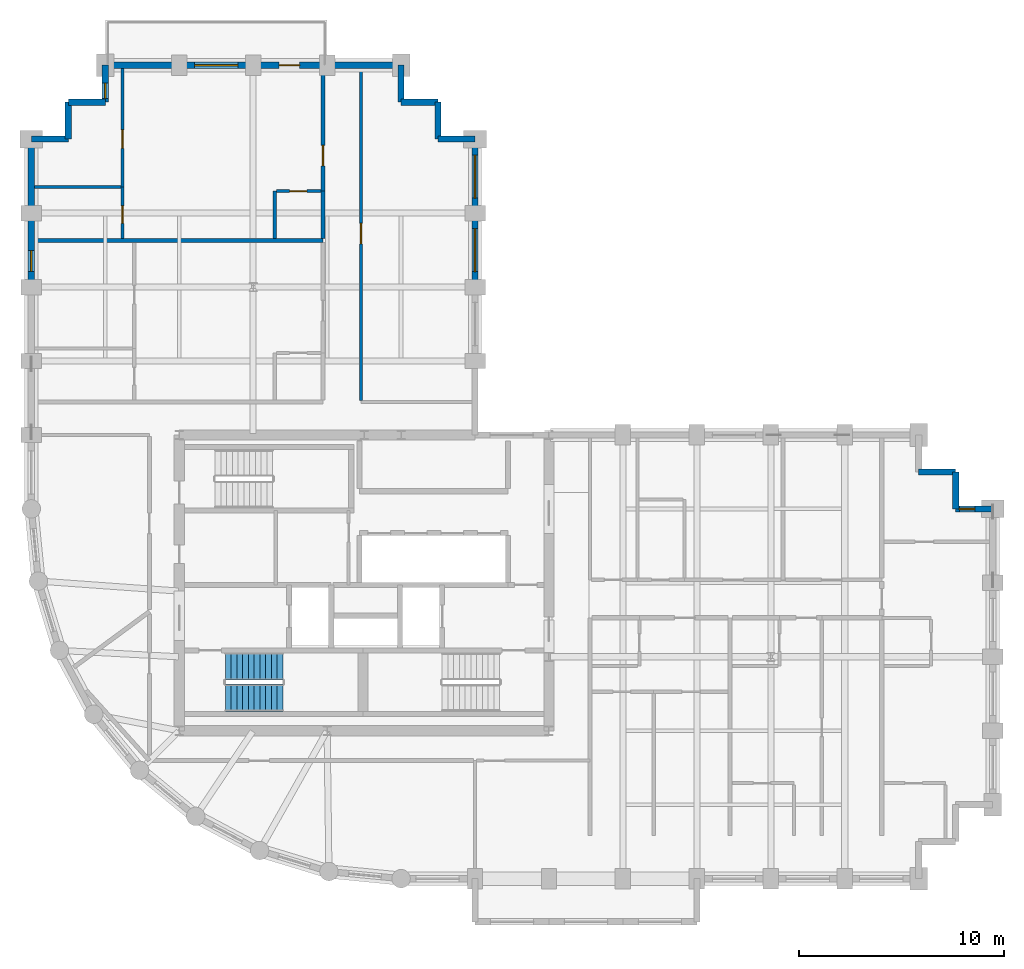
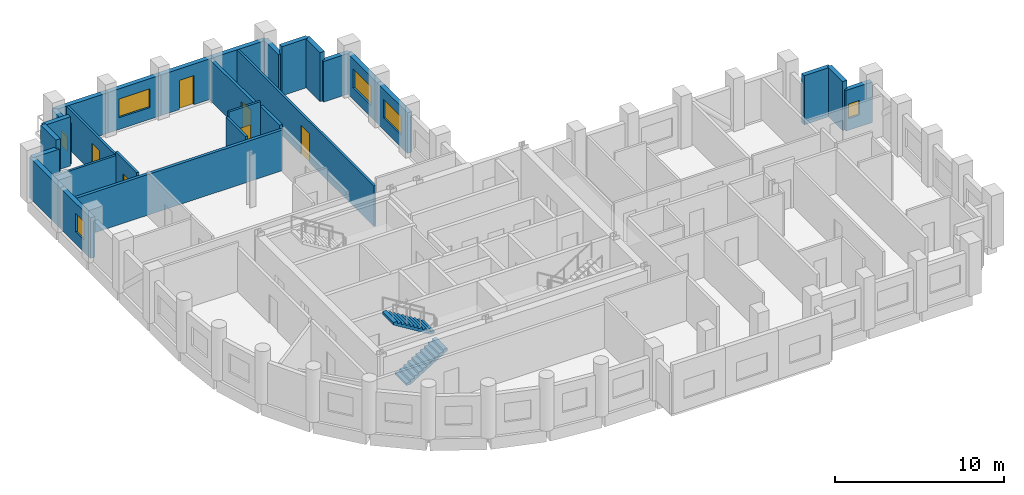
# One storey, part 7 of 9: 28 walls, 6 doors, 6 windows, 2 stair flights, 12 openings, 1 element without a shape of its own.
"""IFC4 building model written with IfcOpenShell, lengths in metres."""

from ifc_helpers import new_model, si_unit, direction, frame, frame_2d, origin, place, context, subcontext, project, spatial, polyline, rectangle, outline, extrude, material, layer, layer_set, type_object, element, fill, aggregate, save


model = new_model("IFC4")

# Units and contexts
model_context = context("Model", 3, precision=1e-05, world=origin(), true_north=direction((0.0, 1.0)))
body_context = subcontext(model_context, "Body", "Model", "MODEL_VIEW")
ifc_project = project(units=[si_unit("LENGTHUNIT", "METRE"), si_unit("AREAUNIT", "SQUARE_METRE"), si_unit("VOLUMEUNIT", "CUBIC_METRE"), si_unit("PLANEANGLEUNIT", "RADIAN"), si_unit("MASSUNIT", "GRAM", prefix="KILO")], contexts=[model_context])

# Site, building, storey
site_placement = place(None, origin())
site = spatial("IfcSite", under=ifc_project, at=site_placement, CompositionType="ELEMENT")
building_placement = place(site_placement, origin())
building = spatial("IfcBuilding", under=site, at=building_placement, Name="Solnavia Interchange Tower", CompositionType="ELEMENT")
storey_placement = place(building_placement, frame((0.0, 0.0, 131.39990234375)))
storey = spatial("IfcBuildingStorey", under=building, at=storey_placement, Name="L32", CompositionType="ELEMENT", Elevation=131.39990234375)

# Walls
ifc_material_1 = material(Name="Gypsum Acoustic Twin-Stud & Mineral Wool", Category="gypsum")
ifc_layer_1 = layer(ifc_material_1, 0.199951171875)
ifc_layer_set_1 = layer_set([ifc_layer_1], Name="Gypsum Acoustic Twin-Stud & Mineral Wool")
wall_type_1 = type_object("IfcWallType", Name="Wall-ApartmentParty-200", PredefinedType="PARTITIONING", material=ifc_layer_set_1)
wall_1_placement = place(storey_placement, frame((7.35400390625, 34.669921875, 0.0), z_axis=(0.0, 0.0, 1.0), x_axis=(1.0, 0.0, 0.0)))
element("IfcWall", 1, at=wall_1_placement, inside=storey, type_object=wall_type_1, Name="PTW-L32-45 Interior partition wall", PredefinedType="PARTITIONING", context=body_context, shape_type="SweptSolid", body=[
    extrude(rectangle(XDim=14.0458984375, YDim=0.199951171875, at=frame_2d((7.02294921875, 0.0))), origin(), (0.0, 0.0, 1.0), 2.93017578125),
])
wall_2_placement = place(storey_placement, frame((21.39990234375, 34.77392578125, 0.0), z_axis=(0.0, 0.0, 1.0), x_axis=(0.0, 1.0, 0.0)))
element("IfcWall", 2, at=wall_2_placement, inside=storey, type_object=wall_type_1, Name="PTW-L32-53 Interior partition wall", PredefinedType="PARTITIONING", context=body_context, shape_type="SweptSolid", body=[
    extrude(rectangle(XDim=2.296142578125, YDim=0.199951171875, at=frame_2d((1.14794921875, 0.0))), origin(), (0.0, 0.0, 1.0), 3.170166015625),
])

# Wall, opening, door
wall_3_placement = place(storey_placement, frame((21.39990234375, 37.070068359375, 0.0), z_axis=(0.0, 0.0, 1.0), x_axis=(0.0, 1.0, 0.0)))
wall_3 = element("IfcWall", 3, at=wall_3_placement, inside=storey, type_object=wall_type_1, Name="PTW-L32-56 Interior partition wall", PredefinedType="PARTITIONING", context=body_context, shape_type="SweptSolid", body=[
    extrude(rectangle(XDim=5.975830078125, YDim=0.199951171875, at=frame_2d((2.98779296875, 0.0))), origin(), (0.0, 0.0, 1.0), 2.93017578125),
])
opening_1_placement = place(wall_3_placement, frame((1.22607421875, 0.0, 0.0)))
opening_1 = element("IfcOpeningElement", 4, at=opening_1_placement, cuts=wall_3, Name="Opening DR-06", PredefinedType="OPENING", context=body_context, shape_type="SweptSolid", body=[
    extrude(rectangle(XDim=1.0, YDim=2.10009765625, at=frame_2d((0.5, 1.050048828125))), frame((0.0, 0.10986328125, 0.0), z_axis=(0.0, -1.0, 0.0), x_axis=(1.0, 0.0, 0.0)), (0.0, 0.0, 1.0), 0.219970703125),
])
ifc_material_2 = material(Name="Engineered Timber Acoustic Fire Door", Category="wood")
door_type_1 = type_object("IfcDoorType", Name="Door-FlatEntry-1000x2100", OperationType="SINGLE_SWING_LEFT", PredefinedType="DOOR", material=ifc_material_2)
door_1_placement = place(opening_1_placement, origin())
door_1 = element("IfcDoor", 5, at=door_1_placement, inside=storey, type_object=door_type_1, Name="DR-L32-26 Interior room door", OperationType="SINGLE_SWING_RIGHT", OverallHeight=2.10009765625, OverallWidth=1.0, PredefinedType="DOOR", context=body_context, shape_type="SweptSolid", body=[
    extrude(rectangle(XDim=1.0, YDim=2.10009765625, at=frame_2d((0.5, 1.050048828125))), frame((0.0, 0.02490234375, 0.0), z_axis=(0.0, -1.0, 0.0), x_axis=(1.0, 0.0, 0.0)), (0.0, 0.0, 1.0), 0.050048828125),
])
fill(opening_1, door_1)

# Wall, opening, window
ifc_material_3 = material(Name="Concrete C40/50", Category="concrete")
ifc_layer_2 = layer(ifc_material_3, 0.300048828125)
ifc_layer_set_2 = layer_set([ifc_layer_2], Name="Concrete C40/50")
wall_type_2 = type_object("IfcWallType", Name="Wall-ExtSpandrel-300", PredefinedType="STANDARD", material=ifc_layer_set_2)
wall_4_placement = place(storey_placement, frame((52.199951171875, 21.60009765625, 0.0), z_axis=(0.0, 0.0, 1.0), x_axis=(1.0, 0.0, 0.0)))
wall_4 = element("IfcWall", 6, at=wall_4_placement, inside=storey, type_object=wall_type_2, Name="EXW-L32-18 Exterior precast spandrel wall", PredefinedType="STANDARD", context=body_context, shape_type="SweptSolid", body=[
    extrude(rectangle(XDim=1.800048828125, YDim=0.300048828125, at=frame_2d((0.89990234375, 0.0))), origin(), (0.0, 0.0, 1.0), 2.93017578125),
])
opening_2_placement = place(wall_4_placement, frame((0.179931640625, 0.0, 0.85009765625)))
opening_2 = element("IfcOpeningElement", 7, at=opening_2_placement, cuts=wall_4, Name="Opening WIN-08", PredefinedType="OPENING", context=body_context, shape_type="SweptSolid", body=[
    extrude(rectangle(XDim=0.75, YDim=1.050048828125, at=frame_2d((0.375, 0.52490234375))), frame((0.0, 0.16015625, 0.0), z_axis=(0.0, -1.0, 0.0), x_axis=(1.0, 0.0, 0.0)), (0.0, 0.0, 1.0), 0.320068359375),
])
ifc_material_4 = material(Name="Thermal-Break Aluminium & Low-E Glass", Category="aluminium")
window_type_1 = type_object("IfcWindowType", Name="Window-Bedroom-750x1050", PartitioningType="SINGLE_PANEL", PredefinedType="WINDOW", material=ifc_material_4)
window_1_placement = place(opening_2_placement, origin())
window_1 = element("IfcWindow", 8, at=window_1_placement, inside=storey, type_object=window_type_1, Name="WIN-L32-DW01 Dwelling bedroom window", OverallHeight=1.050048828125, OverallWidth=0.75, PartitioningType="SINGLE_PANEL", PredefinedType="WINDOW", context=body_context, shape_type="SweptSolid", body=[
    extrude(rectangle(XDim=0.75, YDim=1.050048828125, at=frame_2d((0.375, 0.52490234375))), frame((0.0, 0.030029296875, 0.0), z_axis=(0.0, -1.0, 0.0), x_axis=(1.0, 0.0, 0.0)), (0.0, 0.0, 1.0), 0.06005859375),
])
fill(opening_2, window_1)

# Walls
wall_5_placement = place(storey_placement, frame((52.199951171875, 23.39990234375, 0.0), z_axis=(0.0, 0.0, 1.0), x_axis=(0.0, -1.0, 0.0)))
element("IfcWall", 9, at=wall_5_placement, inside=storey, type_object=wall_type_2, Name="EXW-L32-19 Exterior precast spandrel wall", PredefinedType="STANDARD", context=body_context, shape_type="SweptSolid", body=[
    extrude(rectangle(XDim=1.7998046875, YDim=0.300048828125, at=frame_2d((0.89990234375, 0.0))), origin(), (0.0, 0.0, 1.0), 3.53515625),
])
wall_6_placement = place(storey_placement, frame((50.39990234375, 23.39990234375, 0.0), z_axis=(0.0, 0.0, 1.0), x_axis=(1.0, 0.0, 0.0)))
element("IfcWall", 10, at=wall_6_placement, inside=storey, type_object=wall_type_2, Name="EXW-L32-20 Exterior precast spandrel wall", PredefinedType="STANDARD", context=body_context, shape_type="SweptSolid", body=[
    extrude(rectangle(XDim=1.800048828125, YDim=0.300048828125, at=frame_2d((0.89990234375, 0.0))), origin(), (0.0, 0.0, 1.0), 3.53515625),
])

# Wall, opening, window
wall_7_placement = place(storey_placement, frame((28.800048828125, 36.0, 0.0), z_axis=(0.0, 0.0, 1.0), x_axis=(0.0, -1.0, 0.0)))
wall_7 = element("IfcWall", 11, at=wall_7_placement, inside=storey, type_object=wall_type_2, Name="EXW-L32-30 Exterior precast spandrel wall", PredefinedType="STANDARD", context=body_context, shape_type="SweptSolid", body=[
    extrude(rectangle(XDim=3.60009765625, YDim=0.300048828125, at=frame_2d((1.800048828125, 0.0))), origin(), (0.0, 0.0, 1.0), 2.93017578125),
])
opening_3_placement = place(wall_7_placement, frame((0.75, 0.0, 0.85009765625)))
opening_3 = element("IfcOpeningElement", 12, at=opening_3_placement, cuts=wall_7, Name="Opening WIN-01", PredefinedType="OPENING", context=body_context, shape_type="SweptSolid", body=[
    extrude(rectangle(XDim=2.10009765625, YDim=1.35009765625, at=frame_2d((1.050048828125, 0.675048828125))), frame((0.0, 0.16015625, 0.0), z_axis=(0.0, -1.0, 0.0), x_axis=(1.0, 0.0, 0.0)), (0.0, 0.0, 1.0), 0.320068359375),
])
window_type_2 = type_object("IfcWindowType", Name="Window-Ribbon-2100x1350", PartitioningType="SINGLE_PANEL", PredefinedType="WINDOW", material=ifc_material_4)
window_2_placement = place(opening_3_placement, origin())
window_2 = element("IfcWindow", 13, at=window_2_placement, inside=storey, type_object=window_type_2, Name="WIN-L32-30 Facade ribbon window", OverallHeight=1.35009765625, OverallWidth=2.10009765625, PartitioningType="SINGLE_PANEL", PredefinedType="WINDOW", context=body_context, shape_type="SweptSolid", body=[
    extrude(rectangle(XDim=2.10009765625, YDim=1.35009765625, at=frame_2d((1.050048828125, 0.675048828125))), frame((0.0, 0.030029296875, 0.0), z_axis=(0.0, -1.0, 0.0), x_axis=(1.0, 0.0, 0.0)), (0.0, 0.0, 1.0), 0.06005859375),
])
fill(opening_3, window_2)

wall_8_placement = place(storey_placement, frame((28.800048828125, 39.60009765625, 0.0), z_axis=(0.0, 0.0, 1.0), x_axis=(0.0, -1.0, 0.0)))
wall_8 = element("IfcWall", 14, at=wall_8_placement, inside=storey, type_object=wall_type_2, Name="EXW-L32-31 Exterior precast spandrel wall", PredefinedType="STANDARD", context=body_context, shape_type="SweptSolid", body=[
    extrude(rectangle(XDim=3.60009765625, YDim=0.300048828125, at=frame_2d((1.800048828125, 0.0))), origin(), (0.0, 0.0, 1.0), 2.93017578125),
])
opening_4_placement = place(wall_8_placement, frame((0.77490234375, 0.0, 0.85009765625)))
opening_4 = element("IfcOpeningElement", 15, at=opening_4_placement, cuts=wall_8, Name="Opening WIN-01", PredefinedType="OPENING", context=body_context, shape_type="SweptSolid", body=[
    extrude(rectangle(XDim=2.10009765625, YDim=1.35009765625, at=frame_2d((1.050048828125, 0.675048828125))), frame((0.0, 0.16015625, 0.0), z_axis=(0.0, -1.0, 0.0), x_axis=(1.0, 0.0, 0.0)), (0.0, 0.0, 1.0), 0.320068359375),
])
window_3_placement = place(opening_4_placement, origin())
window_3 = element("IfcWindow", 16, at=window_3_placement, inside=storey, type_object=window_type_2, Name="WIN-L32-31 Facade ribbon window", OverallHeight=1.35009765625, OverallWidth=2.10009765625, PartitioningType="SINGLE_PANEL", PredefinedType="WINDOW", context=body_context, shape_type="SweptSolid", body=[
    extrude(rectangle(XDim=2.10009765625, YDim=1.35009765625, at=frame_2d((1.050048828125, 0.675048828125))), frame((0.0, 0.030029296875, 0.0), z_axis=(0.0, -1.0, 0.0), x_axis=(1.0, 0.0, 0.0)), (0.0, 0.0, 1.0), 0.06005859375),
])
fill(opening_4, window_3)

# Walls
wall_9_placement = place(storey_placement, frame((27.0, 39.60009765625, 0.0), z_axis=(0.0, 0.0, 1.0), x_axis=(1.0, 0.0, 0.0)))
element("IfcWall", 17, at=wall_9_placement, inside=storey, type_object=wall_type_2, Name="EXW-L32-32 Exterior precast spandrel wall", PredefinedType="STANDARD", context=body_context, shape_type="SweptSolid", body=[
    extrude(rectangle(XDim=1.800048828125, YDim=0.300048828125, at=frame_2d((0.89990234375, 0.0))), origin(), (0.0, 0.0, 1.0), 2.93017578125),
])
wall_10_placement = place(storey_placement, frame((27.0, 39.60009765625, 0.0), z_axis=(0.0, 0.0, 1.0), x_axis=(0.0, 1.0, 0.0)))
element("IfcWall", 18, at=wall_10_placement, inside=storey, type_object=wall_type_2, Name="EXW-L32-33 Exterior precast spandrel wall", PredefinedType="STANDARD", context=body_context, shape_type="SweptSolid", body=[
    extrude(rectangle(XDim=1.7998046875, YDim=0.300048828125, at=frame_2d((0.89990234375, 0.0))), origin(), (0.0, 0.0, 1.0), 3.53515625),
])
wall_11_placement = place(storey_placement, frame((25.199951171875, 41.39990234375, 0.0), z_axis=(0.0, 0.0, 1.0), x_axis=(1.0, 0.0, 0.0)))
element("IfcWall", 19, at=wall_11_placement, inside=storey, type_object=wall_type_2, Name="EXW-L32-34 Exterior precast spandrel wall", PredefinedType="STANDARD", context=body_context, shape_type="SweptSolid", body=[
    extrude(rectangle(XDim=1.800048828125, YDim=0.300048828125, at=frame_2d((0.89990234375, 0.0))), origin(), (0.0, 0.0, 1.0), 3.53515625),
])
wall_12_placement = place(storey_placement, frame((25.199951171875, 41.39990234375, 0.0), z_axis=(0.0, 0.0, 1.0), x_axis=(0.0, 1.0, 0.0)))
element("IfcWall", 20, at=wall_12_placement, inside=storey, type_object=wall_type_2, Name="EXW-L32-35 Exterior precast spandrel wall", PredefinedType="STANDARD", context=body_context, shape_type="SweptSolid", body=[
    extrude(rectangle(XDim=1.800048828125, YDim=0.300048828125, at=frame_2d((0.89990234375, 0.0))), origin(), (0.0, 0.0, 1.0), 2.93017578125),
])
wall_13_placement = place(storey_placement, frame((21.60009765625, 43.199951171875, 0.0), z_axis=(0.0, 0.0, 1.0), x_axis=(1.0, 0.0, 0.0)))
element("IfcWall", 21, at=wall_13_placement, inside=storey, type_object=wall_type_2, Name="EXW-L32-36 Exterior precast spandrel wall", PredefinedType="STANDARD", context=body_context, shape_type="SweptSolid", body=[
    extrude(rectangle(XDim=3.599853515625, YDim=0.300048828125, at=frame_2d((1.7998046875, 0.0))), origin(), (0.0, 0.0, 1.0), 2.93017578125),
])

# Wall, opening, door
wall_14_placement = place(storey_placement, frame((18.0, 43.199951171875, 0.0), z_axis=(0.0, 0.0, 1.0), x_axis=(1.0, 0.0, 0.0)))
wall_14 = element("IfcWall", 22, at=wall_14_placement, inside=storey, type_object=wall_type_2, Name="EXW-L32-37 Exterior precast spandrel wall", PredefinedType="STANDARD", context=body_context, shape_type="SweptSolid", body=[
    extrude(rectangle(XDim=3.60009765625, YDim=0.300048828125, at=frame_2d((1.800048828125, 0.0))), origin(), (0.0, 0.0, 1.0), 2.93017578125),
])
opening_5_placement = place(wall_14_placement, frame((1.260986328125, 0.0, 0.0)))
opening_5 = element("IfcOpeningElement", 23, at=opening_5_placement, cuts=wall_14, Name="Opening EXD-05", PredefinedType="OPENING", context=body_context, shape_type="SweptSolid", body=[
    extrude(rectangle(XDim=1.0, YDim=2.10009765625, at=frame_2d((0.5, 1.050048828125))), frame((0.0, 0.16015625, 0.0), z_axis=(0.0, -1.0, 0.0), x_axis=(1.0, 0.0, 0.0)), (0.0, 0.0, 1.0), 0.320068359375),
])
ifc_material_5 = material(Name="Thermally Broken Aluminium & Laminated Glass", Category="aluminium")
door_type_2 = type_object("IfcDoorType", Name="Door-TerraceSingle-1000x2100", OperationType="SINGLE_SWING_LEFT", PredefinedType="DOOR", material=ifc_material_5)
door_2_placement = place(opening_5_placement, origin())
door_2 = element("IfcDoor", 24, at=door_2_placement, inside=storey, type_object=door_type_2, Name="EXD-L32-TER Spiral terrace glazed door", OperationType="SINGLE_SWING_LEFT", OverallHeight=2.10009765625, OverallWidth=1.0, PredefinedType="DOOR", context=body_context, shape_type="SweptSolid", body=[
    extrude(rectangle(XDim=1.0, YDim=2.10009765625, at=frame_2d((0.5, 1.050048828125))), frame((0.0, 0.02490234375, 0.0), z_axis=(0.0, -1.0, 0.0), x_axis=(1.0, 0.0, 0.0)), (0.0, 0.0, 1.0), 0.050048828125),
])
fill(opening_5, door_2)

# Wall, opening, window
wall_15_placement = place(storey_placement, frame((14.39990234375, 43.199951171875, 0.0), z_axis=(0.0, 0.0, 1.0), x_axis=(1.0, 0.0, 0.0)))
wall_15 = element("IfcWall", 25, at=wall_15_placement, inside=storey, type_object=wall_type_2, Name="EXW-L32-38 Exterior precast spandrel wall", PredefinedType="STANDARD", context=body_context, shape_type="SweptSolid", body=[
    extrude(rectangle(XDim=3.60009765625, YDim=0.300048828125, at=frame_2d((1.800048828125, 0.0))), origin(), (0.0, 0.0, 1.0), 2.93017578125),
])
opening_6_placement = place(wall_15_placement, frame((0.75, 0.0, 0.85009765625)))
opening_6 = element("IfcOpeningElement", 26, at=opening_6_placement, cuts=wall_15, Name="Opening WIN-01", PredefinedType="OPENING", context=body_context, shape_type="SweptSolid", body=[
    extrude(rectangle(XDim=2.10009765625, YDim=1.35009765625, at=frame_2d((1.050048828125, 0.675048828125))), frame((0.0, 0.16015625, 0.0), z_axis=(0.0, -1.0, 0.0), x_axis=(1.0, 0.0, 0.0)), (0.0, 0.0, 1.0), 0.320068359375),
])
window_4_placement = place(opening_6_placement, origin())
window_4 = element("IfcWindow", 27, at=window_4_placement, inside=storey, type_object=window_type_2, Name="WIN-L32-38 Facade ribbon window", OverallHeight=1.35009765625, OverallWidth=2.10009765625, PartitioningType="SINGLE_PANEL", PredefinedType="WINDOW", context=body_context, shape_type="SweptSolid", body=[
    extrude(rectangle(XDim=2.10009765625, YDim=1.35009765625, at=frame_2d((1.050048828125, 0.675048828125))), frame((0.0, 0.030029296875, 0.0), z_axis=(0.0, -1.0, 0.0), x_axis=(1.0, 0.0, 0.0)), (0.0, 0.0, 1.0), 0.06005859375),
])
fill(opening_6, window_4)

# Wall
wall_16_placement = place(storey_placement, frame((10.800048828125, 43.199951171875, 0.0), z_axis=(0.0, 0.0, 1.0), x_axis=(1.0, 0.0, 0.0)))
element("IfcWall", 28, at=wall_16_placement, inside=storey, type_object=wall_type_2, Name="EXW-L32-39 Exterior precast spandrel wall", PredefinedType="STANDARD", context=body_context, shape_type="SweptSolid", body=[
    extrude(rectangle(XDim=3.599853515625, YDim=0.300048828125, at=frame_2d((1.7998046875, 0.0))), origin(), (0.0, 0.0, 1.0), 2.93017578125),
])

# Wall, opening, window
wall_17_placement = place(storey_placement, frame((10.800048828125, 41.39990234375, 0.0), z_axis=(0.0, 0.0, 1.0), x_axis=(0.0, 1.0, 0.0)))
wall_17 = element("IfcWall", 29, at=wall_17_placement, inside=storey, type_object=wall_type_2, Name="EXW-L32-40 Exterior precast spandrel wall", PredefinedType="STANDARD", context=body_context, shape_type="SweptSolid", body=[
    extrude(rectangle(XDim=1.800048828125, YDim=0.300048828125, at=frame_2d((0.89990234375, 0.0))), origin(), (0.0, 0.0, 1.0), 2.93017578125),
])
opening_7_placement = place(wall_17_placement, frame((0.179931640625, 0.0, 0.85009765625)))
opening_7 = element("IfcOpeningElement", 30, at=opening_7_placement, cuts=wall_17, Name="Opening WIN-08", PredefinedType="OPENING", context=body_context, shape_type="SweptSolid", body=[
    extrude(rectangle(XDim=0.75, YDim=1.050048828125, at=frame_2d((0.375, 0.52490234375))), frame((0.0, 0.16015625, 0.0), z_axis=(0.0, -1.0, 0.0), x_axis=(1.0, 0.0, 0.0)), (0.0, 0.0, 1.0), 0.320068359375),
])
window_5_placement = place(opening_7_placement, origin())
window_5 = element("IfcWindow", 31, at=window_5_placement, inside=storey, type_object=window_type_1, Name="WIN-L32-DW03 Dwelling bedroom window", OverallHeight=1.050048828125, OverallWidth=0.75, PartitioningType="SINGLE_PANEL", PredefinedType="WINDOW", context=body_context, shape_type="SweptSolid", body=[
    extrude(rectangle(XDim=0.75, YDim=1.050048828125, at=frame_2d((0.375, 0.52490234375))), frame((0.0, 0.030029296875, 0.0), z_axis=(0.0, -1.0, 0.0), x_axis=(1.0, 0.0, 0.0)), (0.0, 0.0, 1.0), 0.06005859375),
])
fill(opening_7, window_5)

# Walls
wall_18_placement = place(storey_placement, frame((9.0, 41.39990234375, 0.0), z_axis=(0.0, 0.0, 1.0), x_axis=(1.0, 0.0, 0.0)))
element("IfcWall", 32, at=wall_18_placement, inside=storey, type_object=wall_type_2, Name="EXW-L32-41 Exterior precast spandrel wall", PredefinedType="STANDARD", context=body_context, shape_type="SweptSolid", body=[
    extrude(rectangle(XDim=1.800048828125, YDim=0.300048828125, at=frame_2d((0.89990234375, 0.0))), origin(), (0.0, 0.0, 1.0), 3.53515625),
])
wall_19_placement = place(storey_placement, frame((9.0, 39.60009765625, 0.0), z_axis=(0.0, 0.0, 1.0), x_axis=(0.0, 1.0, 0.0)))
element("IfcWall", 33, at=wall_19_placement, inside=storey, type_object=wall_type_2, Name="EXW-L32-42 Exterior precast spandrel wall", PredefinedType="STANDARD", context=body_context, shape_type="SweptSolid", body=[
    extrude(rectangle(XDim=1.7998046875, YDim=0.300048828125, at=frame_2d((0.89990234375, 0.0))), origin(), (0.0, 0.0, 1.0), 3.53515625),
])
wall_20_placement = place(storey_placement, frame((7.199951171875, 39.60009765625, 0.0), z_axis=(0.0, 0.0, 1.0), x_axis=(1.0, 0.0, 0.0)))
element("IfcWall", 34, at=wall_20_placement, inside=storey, type_object=wall_type_2, Name="EXW-L32-43 Exterior precast spandrel wall", PredefinedType="STANDARD", context=body_context, shape_type="SweptSolid", body=[
    extrude(rectangle(XDim=1.800048828125, YDim=0.300048828125, at=frame_2d((0.89990234375, 0.0))), origin(), (0.0, 0.0, 1.0), 2.93017578125),
])
wall_21_placement = place(storey_placement, frame((7.199951171875, 36.0, 0.0), z_axis=(0.0, 0.0, 1.0), x_axis=(0.0, 1.0, 0.0)))
element("IfcWall", 35, at=wall_21_placement, inside=storey, type_object=wall_type_2, Name="EXW-L32-44 Exterior precast spandrel wall", PredefinedType="STANDARD", context=body_context, shape_type="SweptSolid", body=[
    extrude(rectangle(XDim=3.60009765625, YDim=0.300048828125, at=frame_2d((1.800048828125, 0.0))), origin(), (0.0, 0.0, 1.0), 2.93017578125),
])

# Wall, opening, window
wall_22_placement = place(storey_placement, frame((7.199951171875, 32.39990234375, 0.0), z_axis=(0.0, 0.0, 1.0), x_axis=(0.0, 1.0, 0.0)))
wall_22 = element("IfcWall", 36, at=wall_22_placement, inside=storey, type_object=wall_type_2, Name="EXW-L32-45 Exterior precast spandrel wall", PredefinedType="STANDARD", context=body_context, shape_type="SweptSolid", body=[
    extrude(rectangle(XDim=3.60009765625, YDim=0.300048828125, at=frame_2d((1.800048828125, 0.0))), origin(), (0.0, 0.0, 1.0), 2.93017578125),
])
opening_8_placement = place(wall_22_placement, frame((0.76904296875, 0.0, 0.85009765625)))
opening_8 = element("IfcOpeningElement", 37, at=opening_8_placement, cuts=wall_22, Name="Opening WIN-07", PredefinedType="OPENING", context=body_context, shape_type="SweptSolid", body=[
    extrude(rectangle(XDim=1.0, YDim=1.35009765625, at=frame_2d((0.5, 0.675048828125))), frame((0.0, 0.16015625, 0.0), z_axis=(0.0, -1.0, 0.0), x_axis=(1.0, 0.0, 0.0)), (0.0, 0.0, 1.0), 0.320068359375),
])
window_type_3 = type_object("IfcWindowType", Name="Window-Bedroom-1000x1350", PartitioningType="SINGLE_PANEL", PredefinedType="WINDOW", material=ifc_material_4)
window_6_placement = place(opening_8_placement, origin())
window_6 = element("IfcWindow", 38, at=window_6_placement, inside=storey, type_object=window_type_3, Name="WIN-L32-DW02 Dwelling bedroom window", OverallHeight=1.35009765625, OverallWidth=1.0, PartitioningType="SINGLE_PANEL", PredefinedType="WINDOW", context=body_context, shape_type="SweptSolid", body=[
    extrude(rectangle(XDim=1.0, YDim=1.35009765625, at=frame_2d((0.5, 0.675048828125))), frame((0.0, 0.030029296875, 0.0), z_axis=(0.0, -1.0, 0.0), x_axis=(1.0, 0.0, 0.0)), (0.0, 0.0, 1.0), 0.06005859375),
])
fill(opening_8, window_6)

# Wall, opening, door
ifc_material_6 = material(Name="Gypsum Plasterboard & Steel Stud", Category="steel")
ifc_layer_3 = layer(ifc_material_6, 0.14990234375)
ifc_layer_set_3 = layer_set([ifc_layer_3], Name="Gypsum Plasterboard & Steel Stud")
wall_type_3 = type_object("IfcWallType", Name="Wall-Partition-150", PredefinedType="PARTITIONING", material=ifc_layer_set_3)
wall_23_placement = place(storey_placement, frame((11.639892578125, 37.27001953125, 0.0), z_axis=(0.0, 0.0, 1.0), x_axis=(0.0, 1.0, 0.0)))
wall_23 = element("IfcWall", 39, at=wall_23_placement, inside=storey, type_object=wall_type_3, Name="PTW-L32-57 Interior partition wall", PredefinedType="PARTITIONING", context=body_context, shape_type="SweptSolid", body=[
    extrude(rectangle(XDim=5.77587890625, YDim=0.14990234375, at=frame_2d((2.887939453125, 0.0))), origin(), (0.0, 0.0, 1.0), 2.93017578125),
])
opening_9_placement = place(wall_23_placement, frame((1.8759765625, 0.0, 0.0)))
opening_9 = element("IfcOpeningElement", 40, at=opening_9_placement, cuts=wall_23, Name="Opening DR-09", PredefinedType="OPENING", context=body_context, shape_type="SweptSolid", body=[
    extrude(rectangle(XDim=0.89990234375, YDim=2.10009765625, at=frame_2d((0.449951171875, 1.050048828125))), frame((0.0, 0.0849609375, 0.0), z_axis=(0.0, -1.0, 0.0), x_axis=(1.0, 0.0, 0.0)), (0.0, 0.0, 1.0), 0.169921875),
])
ifc_material_7 = material(Name="Engineered Oak Veneer Door", Category="wood")
door_type_3 = type_object("IfcDoorType", Name="Door-Internal-900x2100", OperationType="SINGLE_SWING_LEFT", PredefinedType="DOOR", material=ifc_material_7)
door_3_placement = place(opening_9_placement, origin())
door_3 = element("IfcDoor", 41, at=door_3_placement, inside=storey, type_object=door_type_3, Name="DR-L32-27 Interior room door", OperationType="SINGLE_SWING_LEFT", OverallHeight=2.10009765625, OverallWidth=0.89990234375, PredefinedType="DOOR", context=body_context, shape_type="SweptSolid", body=[
    extrude(rectangle(XDim=0.89990234375, YDim=2.10009765625, at=frame_2d((0.449951171875, 1.050048828125))), frame((0.0, 0.02490234375, 0.0), z_axis=(0.0, -1.0, 0.0), x_axis=(1.0, 0.0, 0.0)), (0.0, 0.0, 1.0), 0.050048828125),
])
fill(opening_9, door_3)

wall_24_placement = place(storey_placement, frame((23.25, 26.87890625, 0.0), z_axis=(0.0, 0.0, 1.0), x_axis=(0.0, 1.0, 0.0)))
wall_24 = element("IfcWall", 42, at=wall_24_placement, inside=storey, type_object=wall_type_3, Name="PTW-L32-61 Interior partition wall", PredefinedType="PARTITIONING", context=body_context, shape_type="SweptSolid", body=[
    extrude(rectangle(XDim=16.1669921875, YDim=0.14990234375, at=frame_2d((8.08349609375, 0.0))), origin(), (0.0, 0.0, 1.0), 2.93017578125),
])
opening_10_placement = place(wall_24_placement, frame((7.62109375, 0.0, 0.0)))
opening_10 = element("IfcOpeningElement", 43, at=opening_10_placement, cuts=wall_24, Name="Opening DR-07", PredefinedType="OPENING", context=body_context, shape_type="SweptSolid", body=[
    extrude(rectangle(XDim=1.0, YDim=2.10009765625, at=frame_2d((0.5, 1.050048828125))), frame((0.0, 0.0849609375, 0.0), z_axis=(0.0, -1.0, 0.0), x_axis=(1.0, 0.0, 0.0)), (0.0, 0.0, 1.0), 0.169921875),
])
ifc_material_8 = material(Name="Timber & Acoustic Glazed Office Door", Category="wood")
door_type_4 = type_object("IfcDoorType", Name="Door-Office-1000x2100", OperationType="SINGLE_SWING_RIGHT", PredefinedType="DOOR", material=ifc_material_8)
door_4_placement = place(opening_10_placement, origin())
door_4 = element("IfcDoor", 44, at=door_4_placement, inside=storey, type_object=door_type_4, Name="DR-L32-29 Interior room door", OperationType="SINGLE_SWING_LEFT", OverallHeight=2.10009765625, OverallWidth=1.0, PredefinedType="DOOR", context=body_context, shape_type="SweptSolid", body=[
    extrude(rectangle(XDim=1.0, YDim=2.10009765625, at=frame_2d((0.5, 1.050048828125))), frame((0.0, 0.02490234375, 0.0), z_axis=(0.0, -1.0, 0.0), x_axis=(1.0, 0.0, 0.0)), (0.0, 0.0, 1.0), 0.050048828125),
])
fill(opening_10, door_4)

# Wall
ifc_material_9 = material(Name="Moisture-Resistant Gypsum & Steel Stud", Category="steel")
ifc_layer_4 = layer(ifc_material_9, 0.14990234375)
ifc_layer_set_4 = layer_set([ifc_layer_4], Name="Moisture-Resistant Gypsum & Steel Stud")
wall_type_4 = type_object("IfcWallType", Name="Wall-WetRoom-150", PredefinedType="PARTITIONING", material=ifc_layer_set_4)
wall_25_placement = place(storey_placement, frame((19.050048828125, 34.77392578125, 0.0), z_axis=(0.0, 0.0, 1.0), x_axis=(0.0, 1.0, 0.0)))
element("IfcWall", 45, at=wall_25_placement, inside=storey, type_object=wall_type_4, Name="PTW-L32-54 Interior partition wall", PredefinedType="PARTITIONING", context=body_context, shape_type="SweptSolid", body=[
    extrude(rectangle(XDim=2.296142578125, YDim=0.14990234375, at=frame_2d((1.14794921875, 0.0))), origin(), (0.0, 0.0, 1.0), 3.170166015625),
])

# Wall, opening, door
wall_26_placement = place(storey_placement, frame((19.12890625, 37.070068359375, 0.0), z_axis=(0.0, 0.0, 1.0), x_axis=(1.0, 0.0, 0.0)))
wall_26 = element("IfcWall", 46, at=wall_26_placement, inside=storey, type_object=wall_type_4, Name="PTW-L32-55 Interior partition wall", PredefinedType="PARTITIONING", context=body_context, shape_type="SweptSolid", body=[
    extrude(rectangle(XDim=2.1669921875, YDim=0.14990234375, at=frame_2d((1.08349609375, 0.0))), origin(), (0.0, 0.0, 1.0), 3.53515625),
])
opening_11_placement = place(wall_26_placement, frame((0.64111328125, 0.0, 0.0)))
opening_11 = element("IfcOpeningElement", 47, at=opening_11_placement, cuts=wall_26, Name="Opening DR-10", PredefinedType="OPENING", context=body_context, shape_type="SweptSolid", body=[
    extrude(rectangle(XDim=0.85009765625, YDim=2.10009765625, at=frame_2d((0.425048828125, 1.050048828125))), frame((0.0, 0.0849609375, 0.0), z_axis=(0.0, -1.0, 0.0), x_axis=(1.0, 0.0, 0.0)), (0.0, 0.0, 1.0), 0.169921875),
])
ifc_material_10 = material(Name="Moisture-Resistant Timber Door", Category="wood")
door_type_5 = type_object("IfcDoorType", Name="Door-Bathroom-850x2100", OperationType="SINGLE_SWING_RIGHT", PredefinedType="DOOR", material=ifc_material_10)
door_5_placement = place(opening_11_placement, origin())
door_5 = element("IfcDoor", 48, at=door_5_placement, inside=storey, type_object=door_type_5, Name="DR-L32-25 Interior room door", OperationType="SINGLE_SWING_RIGHT", OverallHeight=2.10009765625, OverallWidth=0.85009765625, PredefinedType="DOOR", context=body_context, shape_type="SweptSolid", body=[
    extrude(rectangle(XDim=0.85009765625, YDim=2.10009765625, at=frame_2d((0.425048828125, 1.050048828125))), frame((0.0, 0.02490234375, 0.0), z_axis=(0.0, -1.0, 0.0), x_axis=(1.0, 0.0, 0.0)), (0.0, 0.0, 1.0), 0.050048828125),
])
fill(opening_11, door_5)

wall_27_placement = place(storey_placement, frame((11.639892578125, 34.77392578125, 0.0), z_axis=(0.0, 0.0, 1.0), x_axis=(0.0, 1.0, 0.0)))
wall_27 = element("IfcWall", 49, at=wall_27_placement, inside=storey, type_object=wall_type_4, Name="PTW-L32-58 Interior partition wall", PredefinedType="PARTITIONING", context=body_context, shape_type="SweptSolid", body=[
    extrude(rectangle(XDim=2.49609375, YDim=0.14990234375, at=frame_2d((1.248046875, 0.0))), origin(), (0.0, 0.0, 1.0), 3.170166015625),
])
opening_12_placement = place(wall_27_placement, frame((0.73095703125, 0.0, 0.0)))
opening_12 = element("IfcOpeningElement", 50, at=opening_12_placement, cuts=wall_27, Name="Opening DR-10", PredefinedType="OPENING", context=body_context, shape_type="SweptSolid", body=[
    extrude(rectangle(XDim=0.85009765625, YDim=2.10009765625, at=frame_2d((0.425048828125, 1.050048828125))), frame((0.0, 0.0849609375, 0.0), z_axis=(0.0, -1.0, 0.0), x_axis=(1.0, 0.0, 0.0)), (0.0, 0.0, 1.0), 0.169921875),
])
door_6_placement = place(opening_12_placement, origin())
door_6 = element("IfcDoor", 51, at=door_6_placement, inside=storey, type_object=door_type_5, Name="DR-L32-28 Interior room door", OperationType="SINGLE_SWING_RIGHT", OverallHeight=2.10009765625, OverallWidth=0.85009765625, PredefinedType="DOOR", context=body_context, shape_type="SweptSolid", body=[
    extrude(rectangle(XDim=0.85009765625, YDim=2.10009765625, at=frame_2d((0.425048828125, 1.050048828125))), frame((0.0, 0.02490234375, 0.0), z_axis=(0.0, -1.0, 0.0), x_axis=(1.0, 0.0, 0.0)), (0.0, 0.0, 1.0), 0.050048828125),
])
fill(opening_12, door_6)

# Wall
wall_28_placement = place(storey_placement, frame((7.35400390625, 37.27001953125, 0.0), z_axis=(0.0, 0.0, 1.0), x_axis=(1.0, 0.0, 0.0)))
element("IfcWall", 52, at=wall_28_placement, inside=storey, type_object=wall_type_4, Name="PTW-L32-59 Interior partition wall", PredefinedType="PARTITIONING", context=body_context, shape_type="SweptSolid", body=[
    extrude(rectangle(XDim=4.20703125, YDim=0.14990234375, at=frame_2d((2.103515625, 0.0))), origin(), (0.0, 0.0, 1.0), 2.93017578125),
])

# Stair, stair flights
stair_type = type_object("IfcStairType", Name="Stair-Dogleg-RC", PredefinedType="HALF_TURN_STAIR", material=ifc_material_3)
stair_placement = place(storey_placement, origin())
stair = element("IfcStair", 53, at=stair_placement, inside=storey, type_object=stair_type, Name="L32 Core exit stair 1", PredefinedType="HALF_TURN_STAIR")
stair_flight_type = type_object("IfcStairFlightType", Name="StairFlight-RC-150", PredefinedType="STRAIGHT", material=ifc_material_3)
stair_flight_1_placement = place(storey_placement, frame((16.64990234375, 12.409912109375, 0.0), z_axis=(0.0, 0.0, 1.0), x_axis=(1.0, 0.0, 0.0)))
stair_flight_1 = element("IfcStairFlight", 54, at=stair_flight_1_placement, type_object=stair_flight_type, Name="ST-1 flight 1", NumberOfRisers=11, NumberOfTreads=10, PredefinedType="STRAIGHT", RiserHeight=0.172727273, TreadLength=0.28, context=body_context, shape_type="SweptSolid", body=[
    extrude(outline(polyline([(0.0, 0.0), (0.0, 0.172607421875), (0.280029296875, 0.172607421875), (0.280029296875, 0.345458984375), (0.56005859375, 0.345458984375), (0.56005859375, 0.51806640625), (0.840087890625, 0.51806640625), (0.840087890625, 0.69091796875), (1.1201171875, 0.69091796875), (1.1201171875, 0.863525390625), (1.39990234375, 0.863525390625), (1.39990234375, 1.036376953125), (1.679931640625, 1.036376953125), (1.679931640625, 1.208984375), (1.9599609375, 1.208984375), (1.9599609375, 1.3818359375), (2.239990234375, 1.3818359375), (2.239990234375, 1.554443359375), (2.52001953125, 1.554443359375), (2.52001953125, 1.727294921875), (2.800048828125, 1.727294921875), (2.800048828125, 1.89990234375), (2.800048828125, 1.551025390625), (0.285400390625, 0.0), (0.0, 0.0)])), frame((0.0, 0.66015625, 0.0), z_axis=(0.0, -1.0, 0.0), x_axis=(1.0, 0.0, 0.0)), (0.0, 0.0, 1.0), 1.320068359375),
])
stair_flight_2_placement = place(storey_placement, frame((19.449951171875, 13.929931640625, 1.900146484375), z_axis=(0.0, 0.0, 1.0), x_axis=(-1.0, 0.0, 0.0)))
stair_flight_2 = element("IfcStairFlight", 55, at=stair_flight_2_placement, type_object=stair_flight_type, Name="ST-1 flight 2", NumberOfRisers=11, NumberOfTreads=10, PredefinedType="STRAIGHT", RiserHeight=0.172727273, TreadLength=0.28, context=body_context, shape_type="SweptSolid", body=[
    extrude(outline(polyline([(0.0, 0.0), (0.0, 0.172607421875), (0.280029296875, 0.172607421875), (0.280029296875, 0.345458984375), (0.56005859375, 0.345458984375), (0.56005859375, 0.51806640625), (0.840087890625, 0.51806640625), (0.840087890625, 0.69091796875), (1.1201171875, 0.69091796875), (1.1201171875, 0.863525390625), (1.39990234375, 0.863525390625), (1.39990234375, 1.036376953125), (1.679931640625, 1.036376953125), (1.679931640625, 1.208984375), (1.9599609375, 1.208984375), (1.9599609375, 1.3818359375), (2.239990234375, 1.3818359375), (2.239990234375, 1.554443359375), (2.52001953125, 1.554443359375), (2.52001953125, 1.727294921875), (2.800048828125, 1.727294921875), (2.800048828125, 1.89990234375), (2.800048828125, 1.551025390625), (0.285400390625, 0.0), (0.0, 0.0)])), frame((0.0, 0.66015625, 0.0), z_axis=(0.0, -1.0, 0.0), x_axis=(1.0, 0.0, 0.0)), (0.0, 0.0, 1.0), 1.320068359375),
])
aggregate(stair, [stair_flight_1, stair_flight_2])

save(model, "model.ifc")
